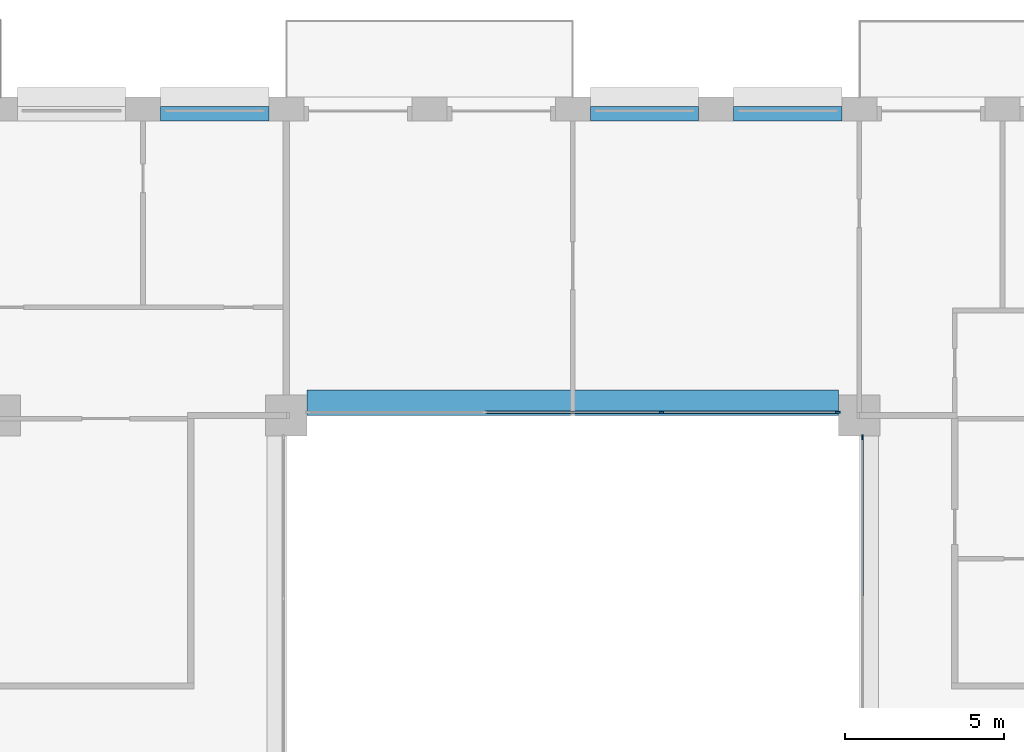
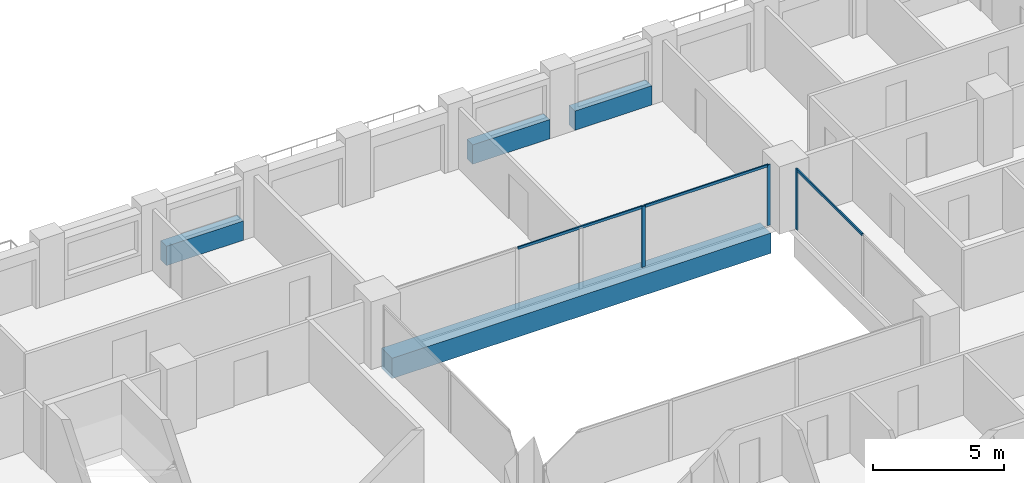
# One storey, part 6 of 16: 6 members, 4 beams, 2 elements without a shape of their own.
"""IFC4 building model written with IfcOpenShell, lengths in metres."""

from ifc_helpers import new_model, si_unit, direction, frame, origin, origin_2d, place, context, subcontext, project, spatial, rectangle, extrude, material, layer, layer_set, material_profile, profile_set, type_object, element, aggregate, save


model = new_model("IFC4")

# Units and contexts
model_context = context("Model", 3, precision=1e-05, world=origin(), true_north=direction((0.0, 1.0)))
body_context = subcontext(model_context, "Body", "Model", "MODEL_VIEW")
ifc_project = project(units=[si_unit("LENGTHUNIT", "METRE"), si_unit("AREAUNIT", "SQUARE_METRE"), si_unit("VOLUMEUNIT", "CUBIC_METRE"), si_unit("PLANEANGLEUNIT", "RADIAN"), si_unit("MASSUNIT", "GRAM", prefix="KILO")], contexts=[model_context])

# Site, building, storey
site_placement = place(None, origin())
site = spatial("IfcSite", under=ifc_project, at=site_placement, CompositionType="ELEMENT")
building_placement = place(site_placement, origin())
building = spatial("IfcBuilding", under=site, at=building_placement, Name="Brigalow Station Residences", CompositionType="ELEMENT")
storey_placement = place(building_placement, frame((0.0, 0.0, 105.60009765625)))
storey = spatial("IfcBuildingStorey", under=building, at=storey_placement, Name="L30", CompositionType="ELEMENT", Elevation=105.60009765625)

# Beam
ifc_material_1 = material(Name="Concrete C65", Category="concrete")
ifc_material_profile_1 = material_profile(ifc_material_1, rectangle(XDim=0.800048828125, YDim=0.949951171875, at=origin_2d()), Name="RC800x950")
ifc_profile_set_1 = profile_set([ifc_material_profile_1], Name="Concrete C65")
beam_type_1 = type_object("IfcBeamType", Name="ATRIUM EDGE GIRDER OVER 13.5 M SPAN 800x950 C65", PredefinedType="BEAM", material=ifc_profile_set_1)
beam_placement = place(storey_placement, frame((27.64990234375, 35.89990234375, -0.795166015625), z_axis=(1.0, 0.0, 0.0), x_axis=(0.0, 1.0, 0.0)))
element("IfcBeam", 1, at=beam_placement, inside=storey, type_object=beam_type_1, Name="ATRIUM EDGE GIRDER D L30", PredefinedType="BEAM", context=body_context, shape_type="SweptSolid", body=[
    extrude(rectangle(XDim=0.800048828125, YDim=0.949951171875, at=origin_2d()), origin(), (0.0, 0.0, 1.0), 16.7001953125),
])

# Curtain wall, member
ifc_material_2 = material(Name="Aluminium", Category="aluminium")
ifc_layer = layer(ifc_material_2, 0.14990234375)
ifc_layer_set = layer_set([ifc_layer], Name="ATRIUM FIRE-RATED GLAZING CURTAIN WALL")
curtain_wall_type = type_object("IfcCurtainWallType", Name="ATRIUM FIRE-RATED GLAZING CURTAIN WALL", PredefinedType="NOTDEFINED", material=ifc_layer_set)
curtain_wall_1_placement = place(storey_placement, origin())
curtain_wall_1 = element("IfcCurtainWall", 2, at=curtain_wall_1_placement, inside=storey, type_object=curtain_wall_type, Name="L30/cw/atrium-E", PredefinedType="NOTDEFINED")
ifc_material_3 = material(Name="Aluminium", Category="aluminium")
ifc_material_profile_2 = material_profile(ifc_material_3, rectangle(XDim=0.06005859375, YDim=0.14990234375, at=origin_2d()), Name="ATRIUM FIRE-RATED GLAZING MULLION 60x150")
ifc_profile_set_2 = profile_set([ifc_material_profile_2], Name="Aluminium")
member_type_1 = type_object("IfcMemberType", Name="ATRIUM FIRE-RATED GLAZING MULLION 60x150", PredefinedType="MULLION", material=ifc_profile_set_2)
member_1_placement = place(storey_placement, frame((45.10009765625, 34.820068359375, 0.0), z_axis=(0.0, 0.0, 1.0), x_axis=(-1.0, 0.0, 0.0)))
member_1 = element("IfcMember", 3, at=member_1_placement, type_object=member_type_1, Name="L30/cw/atrium-E/M02", PredefinedType="MULLION", context=body_context, shape_type="SweptSolid", body=[
    extrude(rectangle(XDim=0.06005859375, YDim=0.14990234375, at=origin_2d()), origin(), (0.0, 0.0, 1.0), 2.829833984375),
])

# Curtain wall, members
curtain_wall_2_placement = place(storey_placement, origin())
curtain_wall_2 = element("IfcCurtainWall", 4, at=curtain_wall_2_placement, inside=storey, type_object=curtain_wall_type, Name="L30/cw/atrium-N", PredefinedType="NOTDEFINED")
member_2_placement = place(storey_placement, frame((44.320068359375, 35.60009765625, 0.0), z_axis=(0.0, 0.0, 1.0), x_axis=(0.0, -1.0, 0.0)))
member_2 = element("IfcMember", 5, at=member_2_placement, type_object=member_type_1, Name="L30/cw/atrium-N/M00", PredefinedType="MULLION", context=body_context, shape_type="SweptSolid", body=[
    extrude(rectangle(XDim=0.06005859375, YDim=0.14990234375, at=origin_2d()), origin(), (0.0, 0.0, 1.0), 2.829833984375),
])
member_3_placement = place(storey_placement, frame((38.783203125, 35.60009765625, 0.0), z_axis=(0.0, 0.0, 1.0), x_axis=(0.0, -1.0, 0.0)))
member_3 = element("IfcMember", 6, at=member_3_placement, type_object=member_type_1, Name="L30/cw/atrium-N/M01", PredefinedType="MULLION", context=body_context, shape_type="SweptSolid", body=[
    extrude(rectangle(XDim=0.06005859375, YDim=0.14990234375, at=origin_2d()), origin(), (0.0, 0.0, 1.0), 2.829833984375),
])

# Member
ifc_material_4 = material(Name="Aluminium", Category="aluminium")
ifc_material_profile_3 = material_profile(ifc_material_4, rectangle(XDim=0.06005859375, YDim=0.1201171875, at=origin_2d()), Name="ATRIUM FIRE-RATED GLAZING TRANSOM 60x120")
ifc_profile_set_3 = profile_set([ifc_material_profile_3], Name="Aluminium")
member_type_2 = type_object("IfcMemberType", Name="ATRIUM FIRE-RATED GLAZING TRANSOM 60x120", PredefinedType="USERDEFINED", material=ifc_profile_set_3)
member_4_placement = place(storey_placement, frame((45.10009765625, 29.780029296875, 2.7998046875), z_axis=(0.0, 1.0, 0.0), x_axis=(-1.0, 0.0, 0.0)))
member_4 = element("IfcMember", 7, at=member_4_placement, type_object=member_type_2, Name="L30/cw/atrium-E/T01-00", ObjectType="TRANSOM", PredefinedType="USERDEFINED", context=body_context, shape_type="SweptSolid", body=[
    extrude(rectangle(XDim=0.06005859375, YDim=0.1201171875, at=origin_2d()), origin(), (0.0, 0.0, 1.0), 5.010009765625),
])

aggregate(curtain_wall_1, [member_1, member_4])

member_5_placement = place(storey_placement, frame((44.2900390625, 35.60009765625, 2.7998046875), z_axis=(-1.0, 0.0, 0.0), x_axis=(0.0, -1.0, 0.0)))
member_5 = element("IfcMember", 8, at=member_5_placement, type_object=member_type_2, Name="L30/cw/atrium-N/T00-00", ObjectType="TRANSOM", PredefinedType="USERDEFINED", context=body_context, shape_type="SweptSolid", body=[
    extrude(rectangle(XDim=0.06005859375, YDim=0.1201171875, at=origin_2d()), origin(), (0.0, 0.0, 1.0), 5.476806640625),
])

member_6_placement = place(storey_placement, frame((38.75341796875, 35.60009765625, 2.7998046875), z_axis=(-1.0, 0.0, 0.0), x_axis=(0.0, -1.0, 0.0)))
member_6 = element("IfcMember", 9, at=member_6_placement, type_object=member_type_2, Name="L30/cw/atrium-N/T01-00", ObjectType="TRANSOM", PredefinedType="USERDEFINED", context=body_context, shape_type="SweptSolid", body=[
    extrude(rectangle(XDim=0.06005859375, YDim=0.1201171875, at=origin_2d()), origin(), (0.0, 0.0, 1.0), 5.5068359375),
])

aggregate(curtain_wall_2, [member_2, member_3, member_5, member_6])

# Beams
ifc_material_5 = material(Name="Concrete C65", Category="concrete")
ifc_material_profile_4 = material_profile(ifc_material_5, rectangle(XDim=0.449951171875, YDim=0.89990234375, at=origin_2d()), Name="RC450x900")
ifc_profile_set_4 = profile_set([ifc_material_profile_4], Name="Concrete C65")
beam_type_2 = type_object("IfcBeamType", Name="SPANDREL BEAM 450x900 C65", PredefinedType="SPANDREL", material=ifc_profile_set_4)
for number, where, z_axis, x_axis, name in (
    (10, (44.449951171875, 44.97509765625, 0.449951171875), (-1.0, 0.0, 0.0), (0.0, -1.0, 0.0), "L30/spandrel/W-L30-29"),
    (11, (39.949951171875, 44.97509765625, 0.449951171875), (-1.0, 0.0, 0.0), (0.0, -1.0, 0.0), "L30/spandrel/W-L30-30"),
    (12, (26.449951171875, 44.97509765625, 0.449951171875), (-1.0, 0.0, 0.0), (0.0, -1.0, 0.0), "L30/spandrel/W-L30-33"),
):
    element("IfcBeam", number, at=place(storey_placement, frame(where, z_axis=z_axis, x_axis=x_axis)), inside=storey, type_object=beam_type_2, Name=name, PredefinedType="SPANDREL", context=body_context, shape_type="SweptSolid", body=[
        extrude(rectangle(XDim=0.449951171875, YDim=0.89990234375, at=origin_2d()), origin(), (0.0, 0.0, 1.0), 3.39990234375),
    ])

save(model, "model.ifc")
